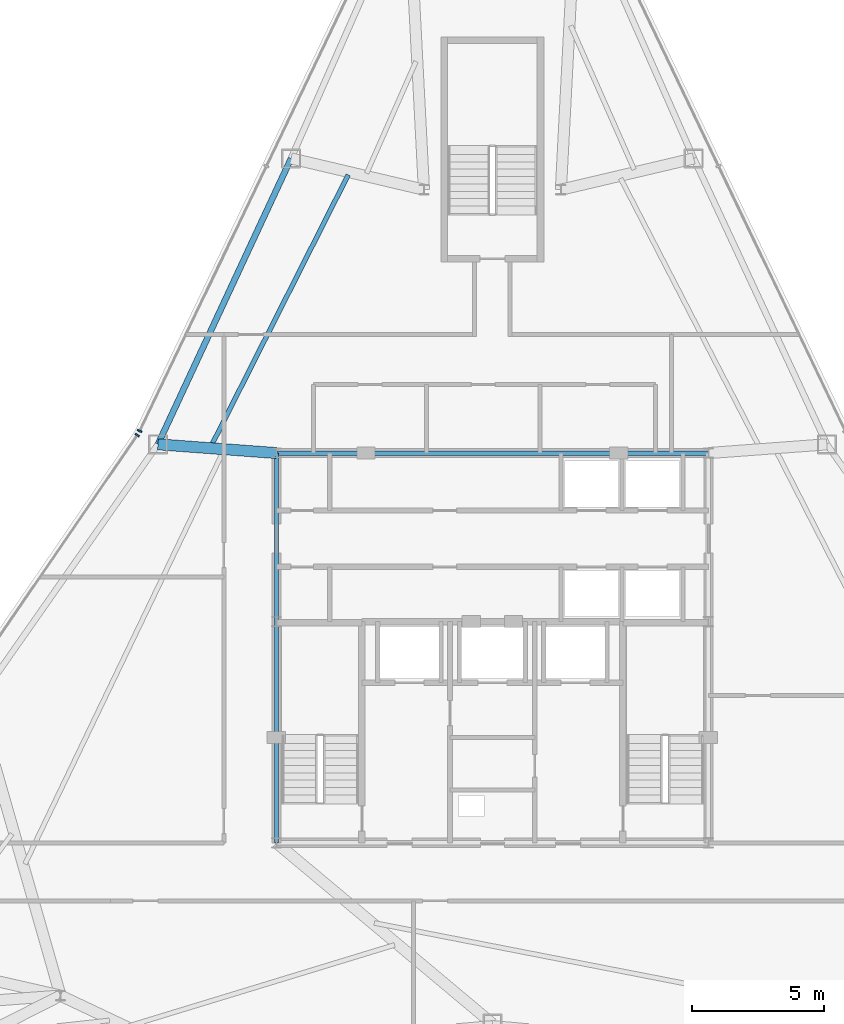
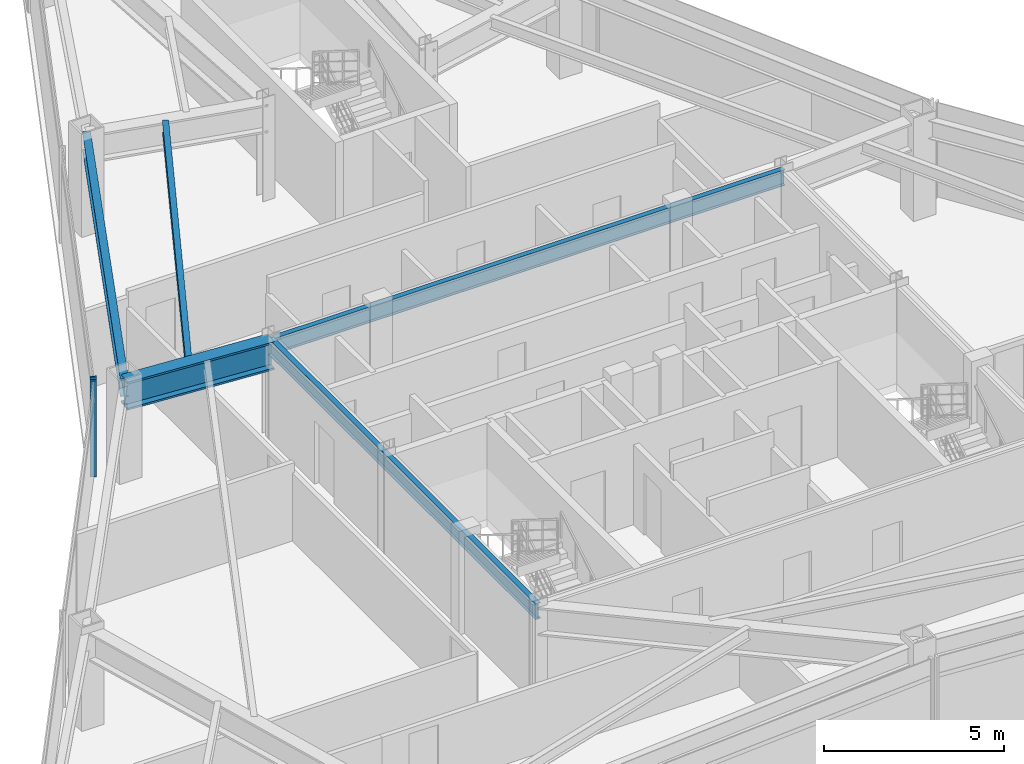
# One storey, part 5 of 11: 5 beams, 2 members, 2 elements without a shape of their own.
"""IFC4 building model written with IfcOpenShell, lengths in metres."""

import ifcopenshell
import ifcopenshell.guid

model = None  # the IFC model being written
_history = None  # IfcOwnerHistory: only IFC2X3 demands one
_inside = {}  # id of a spatial element -> (the spatial element, [elements in it])
_under = {}  # id of a project, library or spatial element -> (it, [spatial elements below it])
_declared = {}  # id of a project -> (the project, [libraries it declares])
_typed = {}  # id of a type object -> (the type object, [elements of that type])
_made_of = {}  # id of a material, layer set ... -> (it, [elements and type objects made of it])


def new_model(schema):
    """Start an empty IFC model of exactly this schema.

    Asked for "IFC4X3", IfcOpenShell would pick the latest addendum, in which some entities
    have other attributes; the version numbers below select the first issue.
    IFC2X3 requires an IfcOwnerHistory on every rooted entity: one is made here for all.
    """
    global model, _history
    if schema == "IFC4X3":
        model = ifcopenshell.file(schema_version=(4, 3, 0, 0))
    else:
        model = ifcopenshell.file(schema=schema)
    _inside.clear()
    _under.clear()
    _declared.clear()
    _typed.clear()
    _made_of.clear()
    _history = None
    if model.schema == "IFC2X3":
        org = make("IfcOrganization", Name="unknown")
        user = make(
            "IfcPersonAndOrganization",
            ThePerson=make("IfcPerson", FamilyName="unknown"),
            TheOrganization=org,
        )
        app = make(
            "IfcApplication",
            ApplicationDeveloper=org,
            Version="unknown",
            ApplicationFullName="unknown",
            ApplicationIdentifier="unknown",
        )
        _history = make(
            "IfcOwnerHistory",
            OwningUser=user,
            OwningApplication=app,
            ChangeAction="ADDED",
            CreationDate=0,
        )
    return model


def make(cls, **values):
    """One entity of the class cls with the attributes given. An attribute that is None is left unset."""
    return model.create_entity(
        cls, **{name: value for name, value in values.items() if value is not None}
    )


def rooted(cls, **values):
    """An entity with a GlobalId (a new one), such as an element, a storey or a relation."""
    return make(cls, GlobalId=ifcopenshell.guid.new(), OwnerHistory=_history, **values)


def si_unit(unit_type, name, prefix=None):
    """IfcSIUnit, for example si_unit("LENGTHUNIT", "METRE", prefix="MILLI")."""
    return make("IfcSIUnit", UnitType=unit_type, Prefix=prefix, Name=name)


def assignment(units):
    """IfcUnitAssignment: the units of a project."""
    return None if units is None else make("IfcUnitAssignment", Units=units)


def point(xyz):
    """IfcCartesianPoint."""
    return None if xyz is None else make("IfcCartesianPoint", Coordinates=xyz)


def direction(xyz):
    """IfcDirection."""
    return None if xyz is None else make("IfcDirection", DirectionRatios=xyz)


def frame(location, z_axis=None, x_axis=None):
    """IfcAxis2Placement3D, a coordinate frame: its origin and axes. An axis left out is left unset."""
    return make(
        "IfcAxis2Placement3D",
        Location=point(location),
        Axis=direction(z_axis),
        RefDirection=direction(x_axis),
    )


def frame_2d(location, x_axis=None):
    """IfcAxis2Placement2D, a coordinate frame in the plane: its origin and x axis."""
    return make(
        "IfcAxis2Placement2D", Location=point(location), RefDirection=direction(x_axis)
    )


def origin():
    """The frame at (0, 0, 0) with its axes left unset."""
    return frame((0.0, 0.0, 0.0))


def origin_2d():
    """The frame at (0, 0) in the plane with its x axis left unset."""
    return frame_2d((0.0, 0.0))


def place(relative_to, where):
    """IfcLocalPlacement: puts the frame where relative to a parent placement (None: the world)."""
    return make(
        "IfcLocalPlacement", PlacementRelTo=relative_to, RelativePlacement=where
    )


def context(
    kind, dimensions, precision=None, world=None, true_north=None, identifier=None
):
    """IfcGeometricRepresentationContext, for example the 3D "Model" context."""
    return make(
        "IfcGeometricRepresentationContext",
        ContextIdentifier=identifier,
        ContextType=kind,
        CoordinateSpaceDimension=dimensions,
        Precision=precision,
        WorldCoordinateSystem=world,
        TrueNorth=true_north,
    )


def subcontext(parent, identifier, kind, view, scale=None):
    """IfcGeometricRepresentationSubContext, for example "Body" below "Model"."""
    return make(
        "IfcGeometricRepresentationSubContext",
        ContextIdentifier=identifier,
        ContextType=kind,
        ParentContext=parent,
        TargetScale=scale,
        TargetView=view,
    )


def project(units=None, contexts=None):
    """IfcProject with its units and contexts."""
    return rooted(
        "IfcProject",
        Name="project",
        RepresentationContexts=contexts,
        UnitsInContext=assignment(units),
    )


def spatial(cls, under=None, at=None, **own):
    """A site, building, storey or space (cls), placed at a placement, below another one or the project."""
    s = rooted(cls, ObjectPlacement=at, **own)
    if under is not None:
        _under.setdefault(under.id(), (under, []))[1].append(s)
    return s


def profile(cls, at=None, kind="AREA", **sizes):
    """A parametric profile (cls). Its sizes go by their IFC names, for example OverallWidth=200.0."""
    return make(cls, ProfileType=kind, Position=at, **sizes)


def rectangle(**sizes):
    """IfcRectangleProfileDef."""
    return profile("IfcRectangleProfileDef", **sizes)


def i_section(**sizes):
    """IfcIShapeProfileDef."""
    return profile("IfcIShapeProfileDef", **sizes)


def extrude(swept, where, along, depth):
    """IfcExtrudedAreaSolid: the profile swept, set in the frame where, extruded along a direction by depth."""
    return make(
        "IfcExtrudedAreaSolid",
        SweptArea=swept,
        Position=where,
        ExtrudedDirection=direction(along),
        Depth=depth,
    )


def shape(context_of_items, identifier, shape_type, items):
    """IfcShapeRepresentation: the items that make up one representation, for example the "Body"."""
    return make(
        "IfcShapeRepresentation",
        ContextOfItems=context_of_items,
        RepresentationIdentifier=identifier,
        RepresentationType=shape_type,
        Items=items,
    )


def source(mapping_origin, context_of_items, identifier, shape_type, items):
    """IfcRepresentationMap: a shape defined once, which mapped items show again and again."""
    return make(
        "IfcRepresentationMap",
        MappingOrigin=mapping_origin,
        MappedRepresentation=shape(context_of_items, identifier, shape_type, items),
    )


def transform(
    local_origin,
    x_axis=None,
    y_axis=None,
    z_axis=None,
    scale=None,
    scale2=None,
    scale3=None,
    uniform=True,
):
    """IfcCartesianTransformationOperator3D, or its non-uniform kind. x_axis, y_axis, z_axis: its Axis1, 2, 3."""
    if uniform:
        return make(
            "IfcCartesianTransformationOperator3D",
            Axis1=direction(x_axis),
            Axis2=direction(y_axis),
            LocalOrigin=point(local_origin),
            Scale=scale,
            Axis3=direction(z_axis),
        )
    return make(
        "IfcCartesianTransformationOperator3DnonUniform",
        Axis1=direction(x_axis),
        Axis2=direction(y_axis),
        LocalOrigin=point(local_origin),
        Scale=scale,
        Axis3=direction(z_axis),
        Scale2=scale2,
        Scale3=scale3,
    )


def mapped(mapping_source, mapping_target):
    """IfcMappedItem: shows the shape of a source again, moved by a transform."""
    return make(
        "IfcMappedItem", MappingSource=mapping_source, MappingTarget=mapping_target
    )


def material(Name=None, Category=None):
    """IfcMaterial."""
    return make("IfcMaterial", Name=Name, Category=Category)


def layer(
    of_material, thickness, ventilated=None, Name=None, Category=None, Priority=None
):
    """IfcMaterialLayer: one layer of a wall or slab, of a material (None: an air gap)."""
    return make(
        "IfcMaterialLayer",
        Material=of_material,
        LayerThickness=thickness,
        IsVentilated=ventilated,
        Name=Name,
        Category=Category,
        Priority=Priority,
    )


def layer_set(layers, Name=None):
    """IfcMaterialLayerSet."""
    return make("IfcMaterialLayerSet", MaterialLayers=layers, LayerSetName=Name)


def material_profile(
    of_material, cross_section, Name=None, Category=None, Priority=None
):
    """IfcMaterialProfile: a cross section and its material."""
    return make(
        "IfcMaterialProfile",
        Name=Name,
        Material=of_material,
        Profile=cross_section,
        Priority=Priority,
        Category=Category,
    )


def profile_set(profiles, Name=None, composite=None):
    """IfcMaterialProfileSet."""
    return make(
        "IfcMaterialProfileSet",
        Name=Name,
        MaterialProfiles=profiles,
        CompositeProfile=composite,
    )


def made_of(thing, what):
    """Note that an element or type object is made of a material, layer set ...; save() writes the relation."""
    if what is not None:
        _made_of.setdefault(what.id(), (what, []))[1].append(thing)
    return thing


def type_object(cls, material=None, **own):
    """A type object (cls), such as IfcWallType, which elements share."""
    return made_of(rooted(cls, **own), material)


def type_shapes(of_type, sources):
    """Give a type object the sources (RepresentationMaps) that its elements show as mapped items."""
    of_type.RepresentationMaps = sources


def element(
    cls,
    number,
    at=None,
    inside=None,
    cuts=None,
    type_object=None,
    material=None,
    context=None,
    identifier="Body",
    shape_type=None,
    held_by="IfcProductDefinitionShape",
    body=None,
    shapes=None,
    **own,
):
    """One element of the class cls, such as IfcWall. Its Tag is "e" and its number.

    at: its placement. inside: the storey or other place that contains it. cuts: it is an
    opening in that element (IfcRelVoidsElement). A single representation is given by context,
    identifier, shape_type and body (its items); several are given by shapes. held_by: the class
    of the entity that holds the representations. save() writes the other relations.
    """
    e = rooted(cls, Tag="e%d" % number, ObjectPlacement=at, **own)
    if body is not None:
        shapes = [shape(context, identifier, shape_type, body)]
    if shapes is not None:
        e.Representation = make(held_by, Representations=shapes)
    if inside is not None:
        _inside.setdefault(inside.id(), (inside, []))[1].append(e)
    if cuts is not None:
        rooted(
            "IfcRelVoidsElement", RelatingBuildingElement=cuts, RelatedOpeningElement=e
        )
    if type_object is not None:
        _typed.setdefault(type_object.id(), (type_object, []))[1].append(e)
    return made_of(e, material)


def aggregate(whole, parts):
    """IfcRelAggregates: a whole, such as a stair, and the parts it consists of."""
    return rooted("IfcRelAggregates", RelatingObject=whole, RelatedObjects=parts)


def save(model, path):
    """Write the relations noted so far, then the file.

    IfcRelAggregates (storeys below a building ...), IfcRelContainedInSpatialStructure (elements
    in a storey), IfcRelDefinesByType, IfcRelAssociatesMaterial and IfcRelDeclares: one each for
    every whole, place, type object, material and project.
    """
    for whole, parts in _under.values():
        aggregate(whole, parts)
    for where, things in _inside.values():
        rooted(
            "IfcRelContainedInSpatialStructure",
            RelatedElements=things,
            RelatingStructure=where,
        )
    for kind, things in _typed.values():
        rooted("IfcRelDefinesByType", RelatedObjects=things, RelatingType=kind)
    for what, things in _made_of.values():
        rooted("IfcRelAssociatesMaterial", RelatedObjects=things, RelatingMaterial=what)
    for by, libraries in _declared.values():
        rooted("IfcRelDeclares", RelatingContext=by, RelatedDefinitions=libraries)
    model.write(path)


model = new_model("IFC4")

# Units and contexts
model_context = context("Model", 3, precision=1e-05, world=origin(), true_north=direction((0.0, 1.0)))
body_context = subcontext(model_context, "Body", "Model", "MODEL_VIEW")
ifc_project = project(units=[si_unit("LENGTHUNIT", "METRE"), si_unit("AREAUNIT", "SQUARE_METRE"), si_unit("VOLUMEUNIT", "CUBIC_METRE"), si_unit("PLANEANGLEUNIT", "RADIAN"), si_unit("MASSUNIT", "GRAM", prefix="KILO")], contexts=[model_context])

# Site, building, storey
site_placement = place(None, origin())
site = spatial("IfcSite", under=ifc_project, at=site_placement, CompositionType="ELEMENT")
building_placement = place(site_placement, origin())
building = spatial("IfcBuilding", under=site, at=building_placement, Name="Varakhsha Concourse Tower", CompositionType="ELEMENT")
storey_placement = place(building_placement, frame((0.0, 0.0, 215.39990234375)))
storey = spatial("IfcBuildingStorey", under=building, at=storey_placement, Name="L61", CompositionType="ELEMENT", Elevation=215.39990234375)

# Beams
ifc_material_1 = material(Name="Structural Steel ASTM A992 Grade 50", Category="steel")
ifc_material_profile_1 = material_profile(ifc_material_1, i_section(OverallWidth=0.177978515625, OverallDepth=0.406982421875, WebThickness=0.008056640625, FlangeThickness=0.012939453125, at=origin_2d()), Name="W16X40")
ifc_profile_set_1 = profile_set([ifc_material_profile_1], Name="Structural Steel ASTM A992 Grade 50")
beam_type_1 = type_object("IfcBeamType", Name="BM-JST-W16X40", PredefinedType="JOIST", material=ifc_profile_set_1)
beam_1_placement = place(storey_placement, frame((34.52587890625, 41.766845703125, 3.046630859375), z_axis=(-0.450981572497, -0.892533260595, 0.0), x_axis=(0.892533260595, -0.450981572497, 0.0)))
element("IfcBeam", 1, at=beam_1_placement, inside=storey, type_object=beam_type_1, Name="BM-TJST-L61-04", PredefinedType="JOIST", context=body_context, shape_type="SweptSolid", body=[
    extrude(i_section(OverallWidth=0.177978515625, OverallDepth=0.406982421875, WebThickness=0.008056640625, FlangeThickness=0.012939453125, at=origin_2d()), origin(), (0.0, 0.0, 1.0), 11.52099609375),
])
ifc_material_profile_2 = material_profile(ifc_material_1, i_section(OverallWidth=0.423095703125, OverallDepth=0.947998046875, WebThickness=0.0380859375, FlangeThickness=0.06396484375, at=origin_2d()), Name="W36X302")
ifc_profile_set_2 = profile_set([ifc_material_profile_2], Name="Structural Steel ASTM A992 Grade 50")
beam_type_2 = type_object("IfcBeamType", Name="BM-OUTR-W36X302", PredefinedType="USERDEFINED", material=ifc_profile_set_2)
beam_2_placement = place(storey_placement, frame((31.800048828125, 31.199951171875, 2.776123046875), z_axis=(-0.9972917705, 0.073546750386, 0.0), x_axis=(-0.073546750386, -0.9972917705, 0.0)))
element("IfcBeam", 2, at=beam_2_placement, inside=storey, type_object=beam_type_2, Name="L61 Radial Floor Girder 05", ObjectType="GIRDER", PredefinedType="USERDEFINED", context=body_context, shape_type="SweptSolid", body=[
    extrude(i_section(OverallWidth=0.423095703125, OverallDepth=0.947998046875, WebThickness=0.0380859375, FlangeThickness=0.06396484375, at=origin_2d()), origin(), (0.0, 0.0, 1.0), 4.51123046875),
])
ifc_material_profile_3 = material_profile(ifc_material_1, i_section(OverallWidth=0.1669921875, OverallDepth=0.534912109375, WebThickness=0.010009765625, FlangeThickness=0.01708984375, at=origin_2d()), Name="W21X57")
ifc_profile_set_3 = profile_set([ifc_material_profile_3], Name="Structural Steel ASTM A992 Grade 50")
beam_type_3 = type_object("IfcBeamType", Name="BM-RAD-W21X57", PredefinedType="BEAM", material=ifc_profile_set_3)
beam_3_placement = place(storey_placement, frame((31.800048828125, 31.199951171875, 2.982666015625), z_axis=(1.0, 0.0, 0.0), x_axis=(0.0, 1.0, 0.0)))
element("IfcBeam", 3, at=beam_3_placement, inside=storey, type_object=beam_type_3, Name="BM-TCORE-L61-CN", PredefinedType="BEAM", context=body_context, shape_type="SweptSolid", body=[
    extrude(i_section(OverallWidth=0.1669921875, OverallDepth=0.534912109375, WebThickness=0.010009765625, FlangeThickness=0.01708984375, at=origin_2d()), origin(), (0.0, 0.0, 1.0), 16.39990234375),
])
beam_4_placement = place(storey_placement, frame((31.800048828125, 16.39990234375, 2.982666015625), z_axis=(0.0, 1.0, 0.0), x_axis=(-1.0, 0.0, 0.0)))
element("IfcBeam", 4, at=beam_4_placement, inside=storey, type_object=beam_type_3, Name="BM-TCORE-L61-CW", PredefinedType="BEAM", context=body_context, shape_type="SweptSolid", body=[
    extrude(i_section(OverallWidth=0.1669921875, OverallDepth=0.534912109375, WebThickness=0.010009765625, FlangeThickness=0.01708984375, at=origin_2d()), origin(), (0.0, 0.0, 1.0), 14.800048828125),
])
ifc_material_profile_4 = material_profile(ifc_material_1, i_section(OverallWidth=0.22900390625, OverallDepth=0.612060546875, WebThickness=0.011962890625, FlangeThickness=0.02001953125, at=origin_2d()), Name="W24X84")
ifc_profile_set_4 = profile_set([ifc_material_profile_4], Name="Structural Steel ASTM A992 Grade 50")
beam_type_4 = type_object("IfcBeamType", Name="BM-SPAN-W24X84", PredefinedType="SPANDREL", material=ifc_profile_set_4)
beam_5_placement = place(storey_placement, frame((32.356201171875, 42.3876953125, 2.944091796875), z_axis=(-0.422135313271, -0.90653283299, 0.0), x_axis=(0.90653283299, -0.422135313271, 0.0)))
element("IfcBeam", 5, at=beam_5_placement, inside=storey, type_object=beam_type_4, Name="BM-SPAN-L61-04", PredefinedType="SPANDREL", context=body_context, shape_type="SweptSolid", body=[
    extrude(i_section(OverallWidth=0.22900390625, OverallDepth=0.612060546875, WebThickness=0.011962890625, FlangeThickness=0.02001953125, at=origin_2d()), origin(), (0.0, 0.0, 1.0), 11.975341796875),
])

# Curtain wall, member
ifc_material_2 = material(Name="Anodised Bronze Architectural Aluminium AA 6063-T6", Category="aluminium")
ifc_layer = layer(ifc_material_2, 0.199951171875, Name="CW-SYS-05")
ifc_layer_set = layer_set([ifc_layer], Name="Anodised Bronze Architectural Aluminium AA 6063-T6")
curtain_wall_type = type_object("IfcCurtainWallType", Name="CW-SYS-05", PredefinedType="NOTDEFINED", material=ifc_layer_set)
curtain_wall_1_placement = place(storey_placement, origin())
curtain_wall_1 = element("IfcCurtainWall", 6, at=curtain_wall_1_placement, inside=storey, type_object=curtain_wall_type, Name="L61 Crystal Curtain Wall F2", PredefinedType="NOTDEFINED")
ifc_material_profile_5 = material_profile(ifc_material_2, rectangle(XDim=0.06494140625, YDim=0.179931640625, at=origin_2d()), Name="CWM-180X65")
ifc_profile_set_5 = profile_set([ifc_material_profile_5], Name="Anodised Bronze Architectural Aluminium AA 6063-T6")
member_type = type_object("IfcMemberType", Name="CWM-180X65", PredefinedType="MULLION", material=ifc_profile_set_5)
shared_shape = source(origin(), body_context, "Body", "SweptSolid", [
    extrude(rectangle(XDim=0.06494140625, YDim=0.179931640625, at=origin_2d()), origin(), (0.0, 0.0, 1.0), 3.25),
])
type_shapes(member_type, [shared_shape])
member_1_placement = place(storey_placement, frame((26.603515625, 32.040771484375, 0.0), z_axis=(0.0, 0.0, 1.0), x_axis=(0.431862228288, 0.901939585437, 0.0)))
member_1 = element("IfcMember", 7, at=member_1_placement, type_object=member_type, Name="CW-L61-F2 Mullion 00", PredefinedType="MULLION", context=body_context, shape_type="MappedRepresentation", body=[
    mapped(shared_shape, transform((0.0, 0.0, 0.0), scale=1.0)),
])
aggregate(curtain_wall_1, [member_1])

curtain_wall_2_placement = place(storey_placement, origin())
curtain_wall_2 = element("IfcCurtainWall", 8, at=curtain_wall_2_placement, inside=storey, type_object=curtain_wall_type, Name="L61 Crystal Curtain Wall F3", PredefinedType="NOTDEFINED")
member_2_placement = place(storey_placement, frame((26.511474609375, 31.88134765625, 0.0), z_axis=(0.0, 0.0, 1.0), x_axis=(0.565172919372, 0.82497246694, 0.0)))
member_2 = element("IfcMember", 9, at=member_2_placement, type_object=member_type, Name="CW-L61-F3 Mullion 02", PredefinedType="MULLION", context=body_context, shape_type="MappedRepresentation", body=[
    mapped(shared_shape, transform((0.0, 0.0, 0.0), scale=1.0)),
])
aggregate(curtain_wall_2, [member_2])

save(model, "model.ifc")
